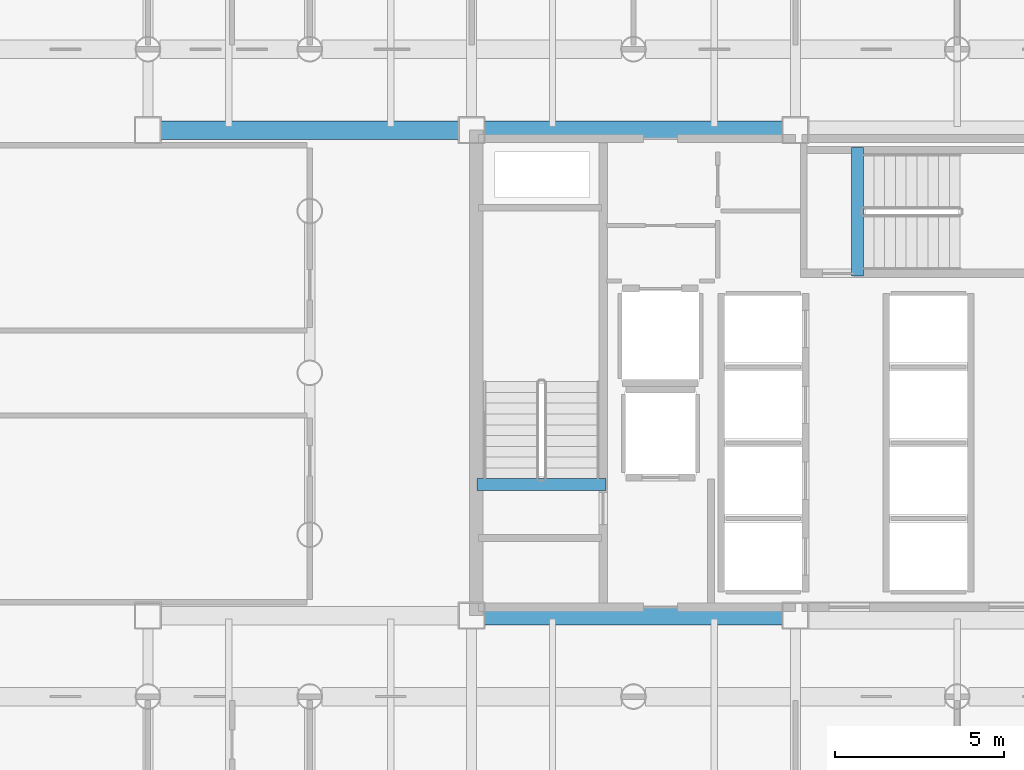
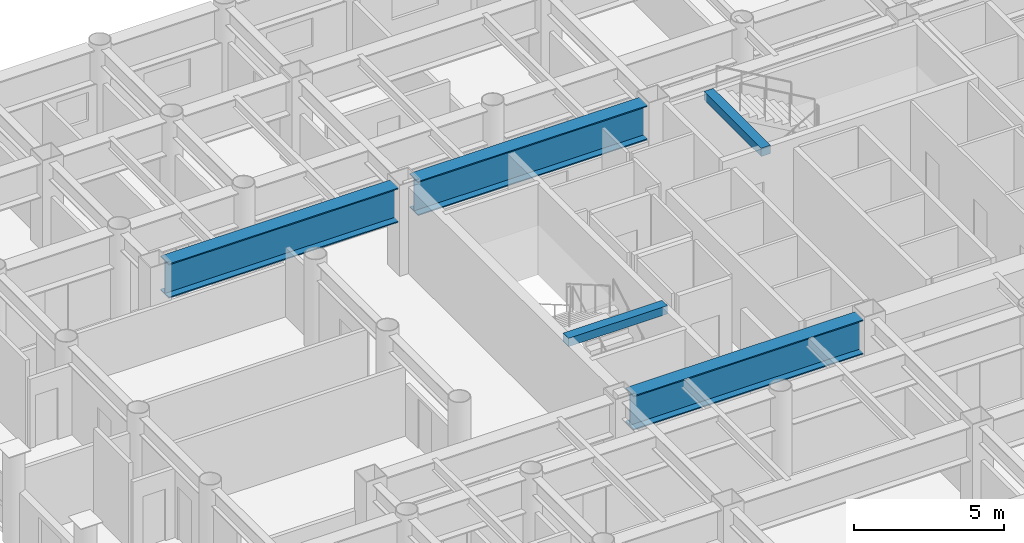
# One storey, part 7 of 26: 5 beams.
"""IFC4 building model written with IfcOpenShell, lengths in metres."""

from ifc_helpers import new_model, si_unit, direction, frame, origin, origin_2d, place, context, subcontext, project, spatial, rectangle, i_section, extrude, material, material_profile, profile_set, type_object, element, save


model = new_model("IFC4")

# Units and contexts
model_context = context("Model", 3, precision=1e-05, world=origin(), true_north=direction((0.0, 1.0)))
body_context = subcontext(model_context, "Body", "Model", "MODEL_VIEW")
ifc_project = project(units=[si_unit("LENGTHUNIT", "METRE"), si_unit("AREAUNIT", "SQUARE_METRE"), si_unit("VOLUMEUNIT", "CUBIC_METRE"), si_unit("PLANEANGLEUNIT", "RADIAN"), si_unit("MASSUNIT", "GRAM", prefix="KILO")], contexts=[model_context])

# Site, building, storey
site_placement = place(None, origin())
site = spatial("IfcSite", under=ifc_project, at=site_placement, CompositionType="ELEMENT")
building_placement = place(site_placement, origin())
building = spatial("IfcBuilding", under=site, at=building_placement, Name="Kallvorn Hotel Tower", CompositionType="ELEMENT")
storey_placement = place(building_placement, frame((0.0, 0.0, 55.89990234375)))
storey = spatial("IfcBuildingStorey", under=building, at=storey_placement, Name="L12", CompositionType="ELEMENT", Elevation=55.89990234375)

# Beams
ifc_material_1 = material(Name="Structural steel S355JR", Category="steel")
ifc_material_profile_1 = material_profile(ifc_material_1, i_section(OverallWidth=0.550048828125, OverallDepth=1.39990234375, WebThickness=0.02490234375, FlangeThickness=0.044921875, at=origin_2d()), Name="PG 1400x550x25x45")
ifc_profile_set_1 = profile_set([ifc_material_profile_1], Name="Structural steel S355JR")
beam_type_1 = type_object("IfcBeamType", Name="BM_PG_1400", PredefinedType="BEAM", material=ifc_profile_set_1)
beam_1_placement = place(storey_placement, frame((-14.02490234375, -7.199951171875, 2.820068359375), z_axis=(1.0, 0.0, 0.0), x_axis=(0.0, 1.0, 0.0)))
element("IfcBeam", 1, at=beam_1_placement, inside=storey, type_object=beam_type_1, Name="L13 Primary X-Girder 43", PredefinedType="BEAM", context=body_context, shape_type="SweptSolid", body=[
    extrude(i_section(OverallWidth=0.550048828125, OverallDepth=1.39990234375, WebThickness=0.02490234375, FlangeThickness=0.044921875, at=origin_2d()), origin(), (0.0, 0.0, 1.0), 8.849853515625),
])
beam_2_placement = place(storey_placement, frame((-23.625, 7.199951171875, 2.820068359375), z_axis=(1.0, 0.0, 0.0), x_axis=(0.0, 1.0, 0.0)))
element("IfcBeam", 2, at=beam_2_placement, inside=storey, type_object=beam_type_1, Name="L13 Primary X-Girder 46", PredefinedType="BEAM", context=body_context, shape_type="SweptSolid", body=[
    extrude(i_section(OverallWidth=0.550048828125, OverallDepth=1.39990234375, WebThickness=0.02490234375, FlangeThickness=0.044921875, at=origin_2d()), origin(), (0.0, 0.0, 1.0), 8.85009765625),
])
beam_3_placement = place(storey_placement, frame((-14.02490234375, 7.199951171875, 2.820068359375), z_axis=(1.0, 0.0, 0.0), x_axis=(0.0, 1.0, 0.0)))
element("IfcBeam", 3, at=beam_3_placement, inside=storey, type_object=beam_type_1, Name="L13 Primary X-Girder 47", PredefinedType="BEAM", context=body_context, shape_type="SweptSolid", body=[
    extrude(i_section(OverallWidth=0.550048828125, OverallDepth=1.39990234375, WebThickness=0.02490234375, FlangeThickness=0.044921875, at=origin_2d()), origin(), (0.0, 0.0, 1.0), 8.849853515625),
])
ifc_material_2 = material(Name="Concrete C50/60", Category="concrete")
ifc_material_profile_2 = material_profile(ifc_material_2, rectangle(XDim=0.360107421875, YDim=0.340087890625, at=origin_2d()), Name="RC 360x340")
ifc_profile_set_2 = profile_set([ifc_material_profile_2], Name="Concrete C50/60")
beam_type_2 = type_object("IfcBeamType", Name="BM_RC_400x360", PredefinedType="BEAM", material=ifc_profile_set_2)
beam_4_placement = place(storey_placement, frame((-10.419921875, -3.31005859375, 3.35009765625), z_axis=(-1.0, 0.0, 0.0), x_axis=(0.0, -1.0, 0.0)))
element("IfcBeam", 4, at=beam_4_placement, inside=storey, type_object=beam_type_2, Name="L13 Stair ST1 Arrival Trimmer Beam", PredefinedType="BEAM", context=body_context, shape_type="SweptSolid", body=[
    extrude(rectangle(XDim=0.360107421875, YDim=0.340087890625, at=origin_2d()), origin(), (0.0, 0.0, 1.0), 3.820068359375),
])
beam_5_placement = place(storey_placement, frame((-2.9599609375, 2.8701171875, 3.35009765625), z_axis=(0.0, 1.0, 0.0), x_axis=(-1.0, 0.0, 0.0)))
element("IfcBeam", 5, at=beam_5_placement, inside=storey, type_object=beam_type_2, Name="L13 Stair ST3 Arrival Trimmer Beam", PredefinedType="BEAM", context=body_context, shape_type="SweptSolid", body=[
    extrude(rectangle(XDim=0.360107421875, YDim=0.340087890625, at=origin_2d()), origin(), (0.0, 0.0, 1.0), 3.81982421875),
])

save(model, "model.ifc")
